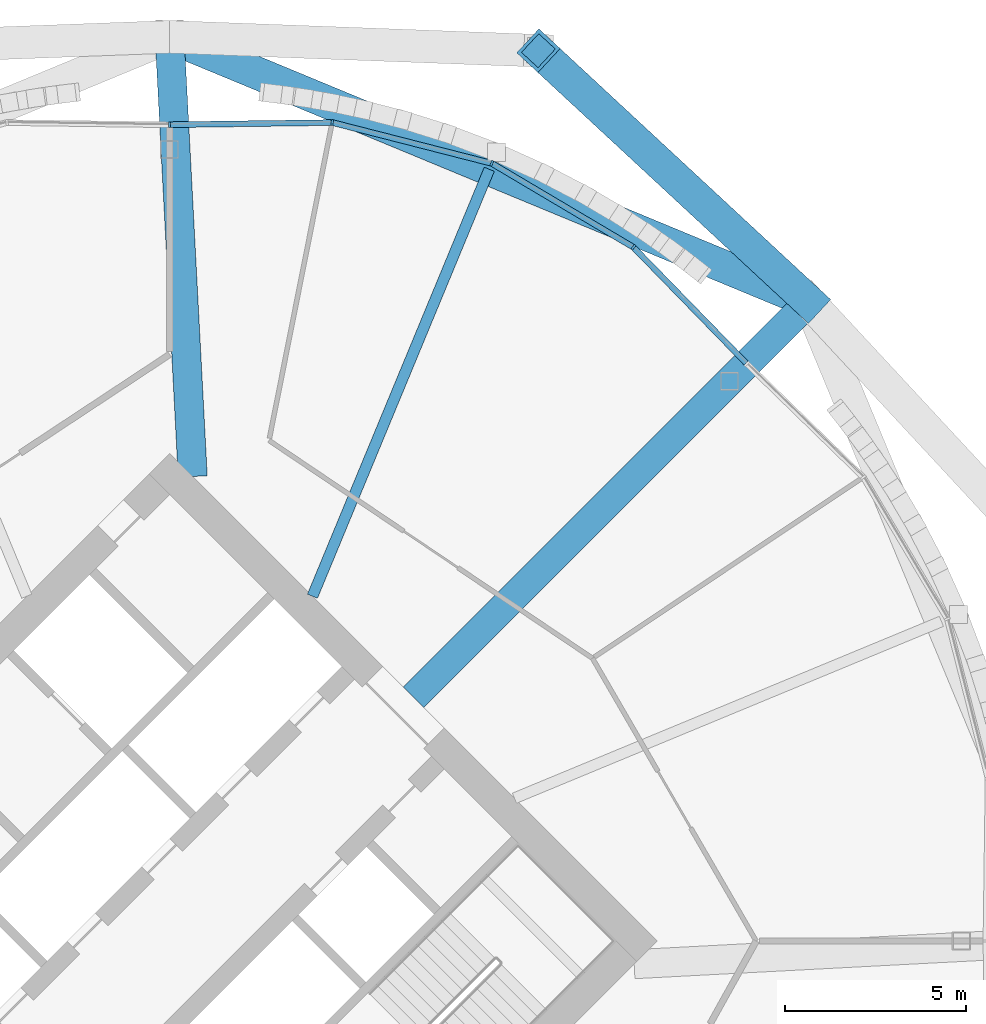
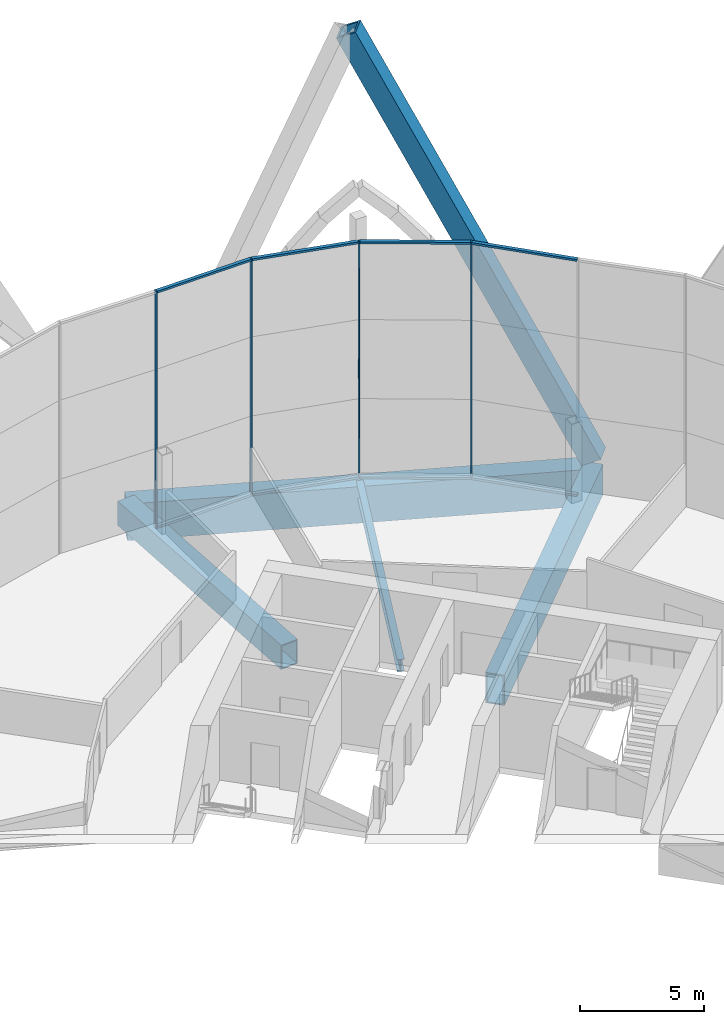
# One storey, part 22 of 37: 13 members, 4 beams, 1 element without a shape of its own.
"""IFC4 building model written with IfcOpenShell, lengths in metres."""

from ifc_helpers import new_model, si_unit, direction, frame, origin, origin_2d, place, context, subcontext, project, spatial, rectangle, hollow_rectangle, i_section, extrude, material, material_profile, profile_set, type_object, element, aggregate, save


model = new_model("IFC4")

# Units and contexts
model_context = context("Model", 3, precision=1e-05, world=origin(), true_north=direction((0.0, 1.0)))
body_context = subcontext(model_context, "Body", "Model", "MODEL_VIEW")
ifc_project = project(units=[si_unit("LENGTHUNIT", "METRE"), si_unit("AREAUNIT", "SQUARE_METRE"), si_unit("VOLUMEUNIT", "CUBIC_METRE"), si_unit("PLANEANGLEUNIT", "RADIAN"), si_unit("MASSUNIT", "GRAM", prefix="KILO")], contexts=[model_context])

# Site, building, storey
site_placement = place(None, origin())
site = spatial("IfcSite", under=ifc_project, at=site_placement, CompositionType="ELEMENT")
building_placement = place(site_placement, origin())
building = spatial("IfcBuilding", under=site, at=building_placement, Name="Ogive Gate Towers", CompositionType="ELEMENT")
storey_placement = place(building_placement, frame((0.0, 0.0, 32.39990234375)))
storey = spatial("IfcBuildingStorey", under=building, at=storey_placement, Name="L06", CompositionType="ELEMENT", Elevation=32.39990234375)

# Member
ifc_material_1 = material(Name="Steel SM460", Category="steel")
ifc_material_profile_1 = material_profile(ifc_material_1, hollow_rectangle(XDim=0.89990234375, YDim=0.89990234375, WallThickness=0.10009765625, at=origin_2d()), Name="BX 900x900x100")
ifc_profile_set_1 = profile_set([ifc_material_profile_1], Name="Steel SM460")
member_type_1 = type_object("IfcMemberType", Name="Diagrid diagonal BX 900x900x100", PredefinedType="BRACE", material=ifc_profile_set_1)
member_1_placement = place(storey_placement, frame((53.614013671875, 17.614013671875, 0.0), z_axis=(-0.338942066201, 0.31444089886, 0.886704684144), x_axis=(-0.68011301839, -0.733107278791, 0.0)))
element("IfcMember", 1, at=member_1_placement, inside=storey, type_object=member_type_1, Name="T2/L06/SDG004", PredefinedType="BRACE", context=body_context, shape_type="SweptSolid", body=[
    extrude(hollow_rectangle(XDim=0.89990234375, YDim=0.89990234375, WallThickness=0.10009765625, at=origin_2d()), origin(), (0.0, 0.0, 1.0), 21.991455078125),
])

# Beams
ifc_material_profile_2 = material_profile(ifc_material_1, hollow_rectangle(XDim=0.89990234375, YDim=1.800048828125, WallThickness=0.080078125, at=origin_2d()), Name="BX 1800x900x80")
ifc_profile_set_2 = profile_set([ifc_material_profile_2], Name="Steel SM460")
beam_type_1 = type_object("IfcBeamType", Name="Edge girder BX 1800x900x80", PredefinedType="BEAM", material=ifc_profile_set_2)
beam_1_placement = place(storey_placement, frame((53.614013671875, 17.614013671875, -1.199951171875), z_axis=(-0.923880736283, 0.382680526191, 0.0), x_axis=(-0.382680526191, -0.923880736283, 0.0)))
element("IfcBeam", 2, at=beam_1_placement, inside=storey, type_object=beam_type_1, Name="T2/L06/SBM021", PredefinedType="BEAM", context=body_context, shape_type="SweptSolid", body=[
    extrude(hollow_rectangle(XDim=0.89990234375, YDim=1.800048828125, WallThickness=0.080078125, at=origin_2d()), origin(), (0.0, 0.0, 1.0), 19.065185546875),
])
ifc_material_2 = material(Name="Steel SM355", Category="steel")
ifc_material_profile_3 = material_profile(ifc_material_2, i_section(OverallWidth=0.300048828125, OverallDepth=0.590087890625, WebThickness=0.012939453125, FlangeThickness=0.02490234375, FilletRadius=0.027099609375, at=origin_2d()), Name="HE 600 A")
ifc_profile_set_3 = profile_set([ifc_material_profile_3], Name="Steel SM355")
beam_type_2 = type_object("IfcBeamType", Name="Radial floor beam HE 600 A", PredefinedType="BEAM", material=ifc_profile_set_3)
beam_2_placement = place(storey_placement, frame((39.93505859375, 9.5, -0.594970703125), z_axis=(0.382690523214, 0.923876595354, 0.0), x_axis=(-0.923876595354, 0.382690523214, 0.0)))
element("IfcBeam", 3, at=beam_2_placement, inside=storey, type_object=beam_type_2, Name="T2/L06/SBM010", PredefinedType="BEAM", context=body_context, shape_type="SweptSolid", body=[
    extrude(i_section(OverallWidth=0.300048828125, OverallDepth=0.590087890625, WebThickness=0.012939453125, FlangeThickness=0.02490234375, FilletRadius=0.027099609375, at=origin_2d()), origin(), (0.0, 0.0, 1.0), 12.731201171875),
])

# Curtain wall, members
ifc_material_3 = material(Name="Pale metal aluminium", Category="aluminium")
curtain_wall_type = type_object("IfcCurtainWallType", Name="Tower unitised wall, low zone", PredefinedType="NOTDEFINED", material=ifc_material_3)
curtain_wall_placement = place(storey_placement, origin())
curtain_wall = element("IfcCurtainWall", 4, at=curtain_wall_placement, inside=storey, type_object=curtain_wall_type, Name="CW1 T2 ECW02", PredefinedType="NOTDEFINED")
ifc_material_profile_4 = material_profile(ifc_material_3, rectangle(XDim=0.159912109375, YDim=0.06005859375, at=origin_2d()), Name="60 x 160 aluminium box")
ifc_profile_set_4 = profile_set([ifc_material_profile_4], Name="Pale metal aluminium")
member_type_2 = type_object("IfcMemberType", Name="Tower unitised wall, low zone mullion 60 x 160", PredefinedType="MULLION", material=ifc_profile_set_4)
member_2_placement = place(storey_placement, frame((48.778076171875, 19.112548828125, -0.2998046875), z_axis=(0.0, 0.0, 1.0), x_axis=(0.61853182984, 0.785759744117, 0.0)))
member_2 = element("IfcMember", 5, at=member_2_placement, type_object=member_type_2, Name="CW1 mullion", PredefinedType="MULLION", context=body_context, shape_type="SweptSolid", body=[
    extrude(rectangle(XDim=0.159912109375, YDim=0.06005859375, at=origin_2d()), origin(), (0.0, 0.0, 1.0), 11.699951171875),
])
member_3_placement = place(storey_placement, frame((44.874755859375, 21.42578125, -0.2998046875), z_axis=(0.0, 0.0, 1.0), x_axis=(0.382683432365, 0.923879532511, 0.0)))
member_3 = element("IfcMember", 6, at=member_3_placement, type_object=member_type_2, Name="CW1 mullion", PredefinedType="MULLION", context=body_context, shape_type="SweptSolid", body=[
    extrude(rectangle(XDim=0.159912109375, YDim=0.06005859375, at=origin_2d()), origin(), (0.0, 0.0, 1.0), 11.699951171875),
])
member_4_placement = place(storey_placement, frame((40.47900390625, 22.550048828125, -0.2998046875), z_axis=(0.0, 0.0, 1.0), x_axis=(0.118247992189, 0.992984094708, 0.0)))
member_4 = element("IfcMember", 7, at=member_4_placement, type_object=member_type_2, Name="CW1 mullion", PredefinedType="MULLION", context=body_context, shape_type="SweptSolid", body=[
    extrude(rectangle(XDim=0.159912109375, YDim=0.06005859375, at=origin_2d()), origin(), (0.0, 0.0, 1.0), 11.699951171875),
])
member_5_placement = place(storey_placement, frame((36.000244140625, 22.489990234375, -0.2998046875), z_axis=(0.0, 0.0, 1.0), x_axis=(-0.013386275544, 0.999910399799, 0.0)))
member_5 = element("IfcMember", 8, at=member_5_placement, type_object=member_type_2, Name="CW1 mullion", PredefinedType="MULLION", context=body_context, shape_type="SweptSolid", body=[
    extrude(rectangle(XDim=0.159912109375, YDim=0.06005859375, at=origin_2d()), origin(), (0.0, 0.0, 1.0), 11.699951171875),
])
ifc_material_profile_5 = material_profile(ifc_material_3, rectangle(XDim=0.159912109375, YDim=0.10009765625, at=origin_2d()), Name="100 x 160 aluminium box")
ifc_profile_set_5 = profile_set([ifc_material_profile_5], Name="Pale metal aluminium")
member_type_3 = type_object("IfcMemberType", Name="Tower unitised wall, low zone transom 100 x 160", PredefinedType="USERDEFINED", material=ifc_profile_set_5)
member_6_placement = place(storey_placement, frame((51.881591796875, 15.924560546875, 11.35009765625), z_axis=(-0.697574167313, 0.716512582651, 0.0), x_axis=(-0.716512582651, -0.697574167313, 0.0)))
member_6 = element("IfcMember", 9, at=member_6_placement, type_object=member_type_3, Name="CW1 transom", ObjectType="TRANSOM", PredefinedType="USERDEFINED", context=body_context, shape_type="SweptSolid", body=[
    extrude(rectangle(XDim=0.159912109375, YDim=0.10009765625, at=origin_2d()), origin(), (0.0, 0.0, 1.0), 4.421630859375),
])
member_7_placement = place(storey_placement, frame((51.881591796875, 15.924560546875, -0.25), z_axis=(-0.697574167313, 0.716512582651, 0.0), x_axis=(-0.716512582651, -0.697574167313, 0.0)))
member_7 = element("IfcMember", 10, at=member_7_placement, type_object=member_type_3, Name="CW1 transom", ObjectType="TRANSOM", PredefinedType="USERDEFINED", context=body_context, shape_type="SweptSolid", body=[
    extrude(rectangle(XDim=0.159912109375, YDim=0.10009765625, at=origin_2d()), origin(), (0.0, 0.0, 1.0), 4.421630859375),
])
member_8_placement = place(storey_placement, frame((48.75439453125, 19.126220703125, 11.35009765625), z_axis=(-0.860267645697, 0.509842699042, 0.0), x_axis=(-0.509842699042, -0.860267645697, 0.0)))
member_8 = element("IfcMember", 11, at=member_8_placement, type_object=member_type_3, Name="CW1 transom", ObjectType="TRANSOM", PredefinedType="USERDEFINED", context=body_context, shape_type="SweptSolid", body=[
    extrude(rectangle(XDim=0.159912109375, YDim=0.10009765625, at=origin_2d()), origin(), (0.0, 0.0, 1.0), 4.482666015625),
])
member_9_placement = place(storey_placement, frame((48.75439453125, 19.126220703125, -0.25), z_axis=(-0.860267645697, 0.509842699042, 0.0), x_axis=(-0.509842699042, -0.860267645697, 0.0)))
member_9 = element("IfcMember", 12, at=member_9_placement, type_object=member_type_3, Name="CW1 transom", ObjectType="TRANSOM", PredefinedType="USERDEFINED", context=body_context, shape_type="SweptSolid", body=[
    extrude(rectangle(XDim=0.159912109375, YDim=0.10009765625, at=origin_2d()), origin(), (0.0, 0.0, 1.0), 4.482666015625),
])
member_10_placement = place(storey_placement, frame((44.848388671875, 21.432373046875, 11.35009765625), z_axis=(-0.968808178302, 0.24781185132, 0.0), x_axis=(-0.24781185132, -0.968808178302, 0.0)))
member_10 = element("IfcMember", 13, at=member_10_placement, type_object=member_type_3, Name="CW1 transom", ObjectType="TRANSOM", PredefinedType="USERDEFINED", context=body_context, shape_type="SweptSolid", body=[
    extrude(rectangle(XDim=0.159912109375, YDim=0.10009765625, at=origin_2d()), origin(), (0.0, 0.0, 1.0), 4.482666015625),
])
member_11_placement = place(storey_placement, frame((44.848388671875, 21.432373046875, -0.25), z_axis=(-0.968808178302, 0.24781185132, 0.0), x_axis=(-0.24781185132, -0.968808178302, 0.0)))
member_11 = element("IfcMember", 14, at=member_11_placement, type_object=member_type_3, Name="CW1 transom", ObjectType="TRANSOM", PredefinedType="USERDEFINED", context=body_context, shape_type="SweptSolid", body=[
    extrude(rectangle(XDim=0.159912109375, YDim=0.10009765625, at=origin_2d()), origin(), (0.0, 0.0, 1.0), 4.482666015625),
])
member_12_placement = place(storey_placement, frame((40.45166015625, 22.549560546875, 11.35009765625), z_axis=(-0.99991072997, -0.013361590097, 0.0), x_axis=(0.013361590097, -0.99991072997, 0.0)))
member_12 = element("IfcMember", 15, at=member_12_placement, type_object=member_type_3, Name="CW1 transom", ObjectType="TRANSOM", PredefinedType="USERDEFINED", context=body_context, shape_type="SweptSolid", body=[
    extrude(rectangle(XDim=0.159912109375, YDim=0.10009765625, at=origin_2d()), origin(), (0.0, 0.0, 1.0), 4.421875),
])
member_13_placement = place(storey_placement, frame((40.45166015625, 22.549560546875, -0.25), z_axis=(-0.99991072997, -0.013361590097, 0.0), x_axis=(0.013361590097, -0.99991072997, 0.0)))
member_13 = element("IfcMember", 16, at=member_13_placement, type_object=member_type_3, Name="CW1 transom", ObjectType="TRANSOM", PredefinedType="USERDEFINED", context=body_context, shape_type="SweptSolid", body=[
    extrude(rectangle(XDim=0.159912109375, YDim=0.10009765625, at=origin_2d()), origin(), (0.0, 0.0, 1.0), 4.421875),
])
aggregate(curtain_wall, [member_2, member_6, member_7, member_3, member_8, member_9, member_4, member_10, member_11, member_5, member_12, member_13])

# Beams
ifc_material_profile_6 = material_profile(ifc_material_1, hollow_rectangle(XDim=0.800048828125, YDim=1.199951171875, WallThickness=0.050048828125, at=origin_2d()), Name="BX 1200x800x50")
ifc_profile_set_6 = profile_set([ifc_material_profile_6], Name="Steel SM460")
beam_type_3 = type_object("IfcBeamType", Name="Transfer radial beam BX 1200x800x50", PredefinedType="BEAM", material=ifc_profile_set_6)
beam_3_placement = place(storey_placement, frame((36.636474609375, 12.798583984375, -0.89990234375), z_axis=(-0.052479590907, 0.998621996823, 0.0), x_axis=(-0.998621996823, -0.052479590907, 0.0)))
element("IfcBeam", 17, at=beam_3_placement, inside=storey, type_object=beam_type_3, Name="T2/L06/SBM011", PredefinedType="BEAM", context=body_context, shape_type="SweptSolid", body=[
    extrude(hollow_rectangle(XDim=0.800048828125, YDim=1.199951171875, WallThickness=0.050048828125, at=origin_2d()), origin(), (0.0, 0.0, 1.0), 12.1279296875),
])
ifc_material_profile_7 = material_profile(ifc_material_1, hollow_rectangle(XDim=0.800048828125, YDim=1.5, WallThickness=0.06005859375, at=origin_2d()), Name="BX 1500x800x60")
ifc_profile_set_7 = profile_set([ifc_material_profile_7], Name="Steel SM460")
beam_type_4 = type_object("IfcBeamType", Name="Transfer radial beam BX 1500x800x60", PredefinedType="BEAM", material=ifc_profile_set_7)
beam_4_placement = place(storey_placement, frame((42.717529296875, 6.717529296875, -1.0498046875), z_axis=(0.707106781187, 0.707106781187, 0.0), x_axis=(-0.707106781187, 0.707106781187, 0.0)))
element("IfcBeam", 18, at=beam_4_placement, inside=storey, type_object=beam_type_4, Name="T2/L06/SBM009", PredefinedType="BEAM", context=body_context, shape_type="SweptSolid", body=[
    extrude(hollow_rectangle(XDim=0.800048828125, YDim=1.5, WallThickness=0.06005859375, at=origin_2d()), origin(), (0.0, 0.0, 1.0), 15.409912109375),
])

save(model, "model.ifc")
